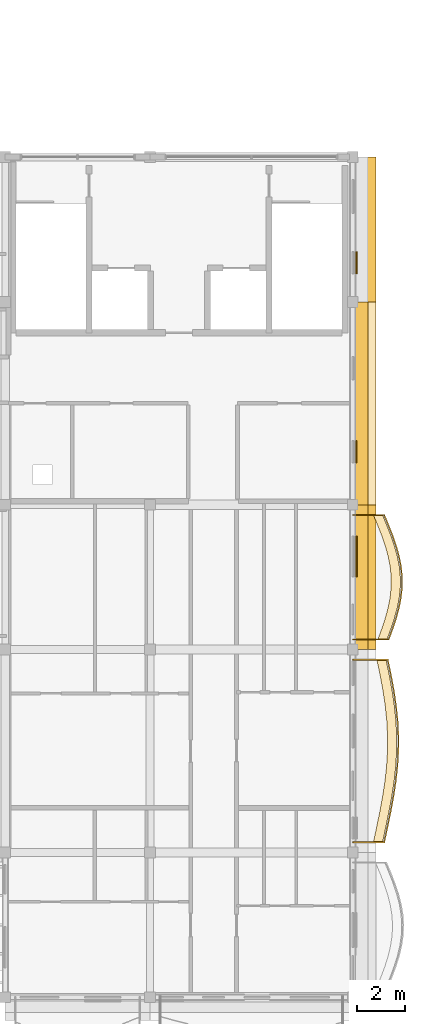
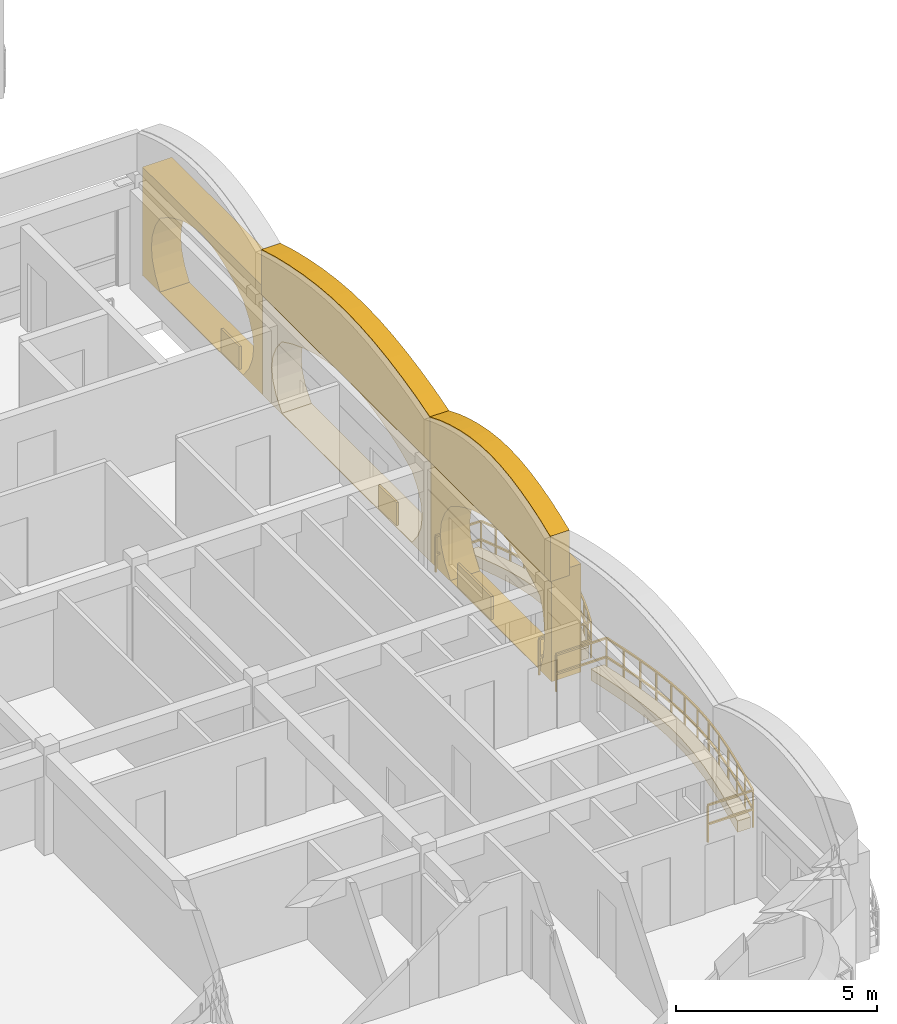
# One storey, part 54 of 59: 10 coverings, 2 railings.
"""IFC4 building model written with IfcOpenShell, lengths in metres."""

from ifc_helpers import new_model, si_unit, direction, frame, origin, origin_2d, place, context, subcontext, project, spatial, polyline, rectangle, outline, extrude, material, layer, layer_set, type_object, element, save


model = new_model("IFC4")

# Units and contexts
model_context = context("Model", 3, precision=1e-05, world=origin(), true_north=direction((0.0, 1.0)))
body_context = subcontext(model_context, "Body", "Model", "MODEL_VIEW")
ifc_project = project(units=[si_unit("LENGTHUNIT", "METRE"), si_unit("AREAUNIT", "SQUARE_METRE"), si_unit("VOLUMEUNIT", "CUBIC_METRE"), si_unit("PLANEANGLEUNIT", "RADIAN"), si_unit("MASSUNIT", "GRAM", prefix="KILO"), si_unit("THERMODYNAMICTEMPERATUREUNIT", "KELVIN")], contexts=[model_context])

# Site, building, storey
site_placement = place(None, origin())
site = spatial("IfcSite", under=ifc_project, at=site_placement, CompositionType="ELEMENT")
building_placement = place(site_placement, origin())
building = spatial("IfcBuilding", under=site, at=building_placement, Name="Thalorik Housing Commons", CompositionType="ELEMENT")
storey_placement = place(building_placement, frame((0.0, 0.0, 27.89990234375)))
storey = spatial("IfcBuildingStorey", under=building, at=storey_placement, Name="L08", CompositionType="ELEMENT", Elevation=27.89990234375)

# Coverings
ifc_material_1 = material(Name="Cobalt blue glazed ceramic facade tile panel", Category="masonry")
ifc_layer_1 = layer(ifc_material_1, 0.06005859375, Name="Cobalt blue glazed ceramic facade tile panel", Category="masonry")
ifc_layer_set_1 = layer_set([ifc_layer_1], Name="Cobalt blue glazed ceramic facade tile panel")
covering_type_1 = type_object("IfcCoveringType", Name="ARC-CLD-BLU-60", PredefinedType="CLADDING", material=ifc_layer_set_1)
covering_1_placement = place(storey_placement, frame((166.947509765625, 67.6298828125, 0.05029296875), z_axis=(0.0, 0.0, 1.0), x_axis=(0.0, 1.0, 0.0)))
element("IfcCovering", 1, at=covering_1_placement, inside=storey, type_object=covering_type_1, Name="L08 De Stijl Recessed Window Spandrel 5118", PredefinedType="CLADDING", context=body_context, shape_type="SweptSolid", body=[
    extrude(rectangle(XDim=0.89990234375, YDim=0.06005859375, at=origin_2d()), origin(), (0.0, 0.0, 1.0), 0.699951171875),
])
ifc_material_2 = material(Name="Precast concrete C40/50", Category="concrete")
ifc_layer_2 = layer(ifc_material_2, 0.85009765625, Name="Precast concrete C40/50", Category="concrete")
ifc_layer_set_2 = layer_set([ifc_layer_2], Name="Precast concrete C40/50")
covering_type_2 = type_object("IfcCoveringType", Name="ARC-CLD-CUSH-850", PredefinedType="CLADDING", material=ifc_layer_set_2)
covering_2_placement = place(storey_placement, frame((167.33740234375, 54.60009765625, 0.0), z_axis=(0.0, 0.0, 1.0), x_axis=(0.0, 1.0, 0.0)))
element("IfcCovering", 2, at=covering_2_placement, inside=storey, type_object=covering_type_2, Name="L08 White Precast Curved Cushion Bay Frame 5113", PredefinedType="CLADDING", context=body_context, shape_type="SweptSolid", body=[
    extrude(outline(polyline([(-3.0, 0.0), (3.0, 0.0), (3.0, 3.300048828125), (-3.0, 3.300048828125), (-3.0, 0.0)]), holes=[polyline([(2.0400390625, 0.02490234375), (2.3232421875, 0.40087890625), (2.493408203125, 0.776611328125), (2.550048828125, 1.152587890625), (2.493408203125, 1.5283203125), (2.3232421875, 1.904296875), (2.0400390625, 2.280029296875), (1.66748046875, 2.51123046875), (1.294921875, 2.693115234375), (0.922607421875, 2.840087890625), (0.550048828125, 2.94970703125), (0.177490234375, 3.01708984375), (-0.195068359375, 3.0400390625), (-0.5673828125, 3.01708984375), (-0.93994140625, 2.94970703125), (-1.3125, 2.840087890625), (-1.68505859375, 2.693115234375), (-2.0576171875, 2.51123046875), (-2.429931640625, 2.280029296875), (-2.55029296875, 1.904296875), (-2.62255859375, 1.5283203125), (-2.646484375, 1.152587890625), (-2.62255859375, 0.776611328125), (-2.55029296875, 0.40087890625), (-2.429931640625, 0.02490234375), (2.0400390625, 0.02490234375)])]), frame((0.0, 0.425048828125, 0.0), z_axis=(0.0, -1.0, 0.0), x_axis=(1.0, 0.0, 0.0)), (0.0, 0.0, 1.0), 0.85009765625),
])
covering_3_placement = place(storey_placement, frame((167.33740234375, 61.800048828125, 0.0), z_axis=(0.0, 0.0, 1.0), x_axis=(0.0, 1.0, 0.0)))
element("IfcCovering", 3, at=covering_3_placement, inside=storey, type_object=covering_type_2, Name="L08 White Precast Curved Cushion Bay Frame 5115", PredefinedType="CLADDING", context=body_context, shape_type="SweptSolid", body=[
    extrude(outline(polyline([(-4.199951171875, 0.0), (4.199951171875, 0.0), (4.199951171875, 3.300048828125), (-4.199951171875, 3.300048828125), (-4.199951171875, 0.0)]), holes=[polyline([(3.239990234375, 0.02490234375), (3.523193359375, 0.387451171875), (3.693359375, 0.75), (3.75, 1.112548828125), (3.693359375, 1.47509765625), (3.523193359375, 1.83740234375), (3.239990234375, 2.199951171875), (2.699951171875, 2.455810546875), (2.159912109375, 2.656494140625), (1.6201171875, 2.819091796875), (1.080078125, 2.940185546875), (0.5400390625, 3.014892578125), (0.0, 3.0400390625), (-0.5400390625, 3.014892578125), (-1.080078125, 2.940185546875), (-1.6201171875, 2.819091796875), (-2.159912109375, 2.656494140625), (-2.699951171875, 2.455810546875), (-3.239990234375, 2.199951171875), (-3.523193359375, 1.83740234375), (-3.693359375, 1.47509765625), (-3.75, 1.112548828125), (-3.693359375, 0.75), (-3.523193359375, 0.387451171875), (-3.239990234375, 0.02490234375), (3.239990234375, 0.02490234375)])]), frame((0.0, 0.425048828125, 0.0), z_axis=(0.0, -1.0, 0.0), x_axis=(1.0, 0.0, 0.0)), (0.0, 0.0, 1.0), 0.85009765625),
])
covering_4_placement = place(storey_placement, frame((167.33740234375, 69.0, 0.0), z_axis=(0.0, 0.0, 1.0), x_axis=(0.0, 1.0, 0.0)))
element("IfcCovering", 4, at=covering_4_placement, inside=storey, type_object=covering_type_2, Name="L08 White Precast Curved Cushion Bay Frame 5117", PredefinedType="CLADDING", context=body_context, shape_type="SweptSolid", body=[
    extrude(outline(polyline([(-3.0, 0.0), (3.0, 0.0), (3.0, 3.300048828125), (-3.0, 3.300048828125), (-3.0, 0.0)]), holes=[polyline([(2.1201171875, 0.02490234375), (2.35888671875, 0.399169921875), (2.502197265625, 0.773193359375), (2.550048828125, 1.1474609375), (2.502197265625, 1.521728515625), (2.35888671875, 1.895751953125), (2.1201171875, 2.27001953125), (1.773193359375, 2.50439453125), (1.4267578125, 2.6884765625), (1.080078125, 2.837646484375), (0.7333984375, 2.948486328125), (0.38671875, 3.016845703125), (0.0400390625, 3.0400390625), (-0.306640625, 3.016845703125), (-0.6533203125, 2.948486328125), (-1.0, 2.837646484375), (-1.3466796875, 2.6884765625), (-1.693359375, 2.50439453125), (-2.0400390625, 2.27001953125), (-2.3232421875, 1.895751953125), (-2.493408203125, 1.521728515625), (-2.550048828125, 1.1474609375), (-2.493408203125, 0.773193359375), (-2.3232421875, 0.399169921875), (-2.0400390625, 0.02490234375), (2.1201171875, 0.02490234375)])]), frame((0.0, 0.425048828125, 0.0), z_axis=(0.0, -1.0, 0.0), x_axis=(1.0, 0.0, 0.0)), (0.0, 0.0, 1.0), 0.85009765625),
])
ifc_layer_3 = layer(ifc_material_2, 0.550048828125, Name="Precast concrete C40/50", Category="concrete")
ifc_layer_set_3 = layer_set([ifc_layer_3], Name="Precast concrete C40/50")
covering_type_3 = type_object("IfcCoveringType", Name="ARC-CLD-PAR-550", PredefinedType="CLADDING", material=ifc_layer_set_3)
covering_5_placement = place(storey_placement, frame((167.14990234375, 54.60009765625, 3.06005859375), z_axis=(0.0, 0.0, 1.0), x_axis=(0.0, 1.0, 0.0)))
element("IfcCovering", 5, at=covering_5_placement, inside=storey, type_object=covering_type_3, Name="L08 Block D Scalloped White Precast Parapet Crest 5125", PredefinedType="CLADDING", context=body_context, shape_type="SweptSolid", body=[
    extrude(outline(polyline([(-3.0, 0.0), (3.0, 0.0), (3.0, 1.3798828125), (2.5, 1.58154296875), (2.0, 1.744384765625), (1.5, 1.877685546875), (1.0, 1.977294921875), (0.5, 2.0390625), (0.0, 2.06005859375), (-0.5, 2.0390625), (-1.0, 1.977294921875), (-1.5, 1.877685546875), (-2.0, 1.744384765625), (-2.5, 1.58154296875), (-3.0, 1.3798828125), (-3.0, 0.0)])), frame((0.0, 0.27490234375, 0.0), z_axis=(0.0, -1.0, 0.0), x_axis=(1.0, 0.0, 0.0)), (0.0, 0.0, 1.0), 0.550048828125),
])
covering_6_placement = place(storey_placement, frame((167.14990234375, 61.800048828125, 3.06005859375), z_axis=(0.0, 0.0, 1.0), x_axis=(0.0, 1.0, 0.0)))
element("IfcCovering", 6, at=covering_6_placement, inside=storey, type_object=covering_type_3, Name="L08 Block D Scalloped White Precast Parapet Crest 5126", PredefinedType="CLADDING", context=body_context, shape_type="SweptSolid", body=[
    extrude(outline(polyline([(-4.199951171875, 0.0), (4.199951171875, 0.0), (4.199951171875, 1.3798828125), (3.5, 1.58154296875), (2.800048828125, 1.744384765625), (2.10009765625, 1.877685546875), (1.39990234375, 1.977294921875), (0.699951171875, 2.0390625), (0.0, 2.06005859375), (-0.699951171875, 2.0390625), (-1.39990234375, 1.977294921875), (-2.10009765625, 1.877685546875), (-2.800048828125, 1.744384765625), (-3.5, 1.58154296875), (-4.199951171875, 1.3798828125), (-4.199951171875, 0.0)])), frame((0.0, 0.27490234375, 0.0), z_axis=(0.0, -1.0, 0.0), x_axis=(1.0, 0.0, 0.0)), (0.0, 0.0, 1.0), 0.550048828125),
])
ifc_material_3 = material(Name="Terracotta red mineral fibre-cement panel", Category="masonry")
ifc_layer_4 = layer(ifc_material_3, 0.054931640625, Name="Terracotta red mineral fibre-cement panel", Category="masonry")
ifc_layer_set_4 = layer_set([ifc_layer_4], Name="Terracotta red mineral fibre-cement panel")
covering_type_4 = type_object("IfcCoveringType", Name="ARC-CLD-RED-55", PredefinedType="CLADDING", material=ifc_layer_set_4)
covering_7_placement = place(storey_placement, frame((166.945068359375, 59.794921875, 0.05029296875), z_axis=(0.0, 0.0, 1.0), x_axis=(0.0, 1.0, 0.0)))
element("IfcCovering", 7, at=covering_7_placement, inside=storey, type_object=covering_type_4, Name="L08 De Stijl Recessed Window Spandrel 5116", PredefinedType="CLADDING", context=body_context, shape_type="SweptSolid", body=[
    extrude(rectangle(XDim=0.89990234375, YDim=0.054931640625, at=origin_2d()), origin(), (0.0, 0.0, 1.0), 0.699951171875),
])
ifc_material_4 = material(Name="Mineral ochre architectural terracotta panel", Category="masonry")
ifc_layer_5 = layer(ifc_material_4, 0.06494140625, Name="Mineral ochre architectural terracotta panel", Category="masonry")
ifc_layer_set_5 = layer_set([ifc_layer_5], Name="Mineral ochre architectural terracotta panel")
covering_type_5 = type_object("IfcCoveringType", Name="ARC-CLD-YEL-65", PredefinedType="CLADDING", material=ifc_layer_set_5)
covering_8_placement = place(storey_placement, frame((166.949951171875, 55.465087890625, 0.05029296875), z_axis=(0.0, 0.0, 1.0), x_axis=(0.0, 1.0, 0.0)))
element("IfcCovering", 8, at=covering_8_placement, inside=storey, type_object=covering_type_5, Name="L08 De Stijl Recessed Window Spandrel 5114", PredefinedType="CLADDING", context=body_context, shape_type="SweptSolid", body=[
    extrude(rectangle(XDim=1.679931640625, YDim=0.06494140625, at=origin_2d()), origin(), (0.0, 0.0, 1.0), 0.699951171875),
])
ifc_material_5 = material(Name="Planted vegetated substrate and terracotta trough", Category="masonry")
ifc_layer_6 = layer(ifc_material_5, 0.340087890625, Name="Planted vegetated substrate and terracotta trough", Category="masonry")
ifc_layer_set_6 = layer_set([ifc_layer_6], Name="Planted vegetated substrate and terracotta trough")
covering_type_6 = type_object("IfcCoveringType", Name="ARC-COV-PLANTER", PredefinedType="USERDEFINED", material=ifc_layer_set_6)
covering_9_placement = place(storey_placement, origin())
element("IfcCovering", 9, at=covering_9_placement, inside=storey, type_object=covering_type_6, Name="L08 Balcony Slab-Edge Planted Trough 5697", ObjectType="PLANTER", PredefinedType="USERDEFINED", context=body_context, shape_type="SweptSolid", body=[
    extrude(outline(polyline([(168.0341796875, 43.6201171875), (168.16796875, 44.25), (168.297607421875, 44.8798828125), (168.41455078125, 45.510009765625), (168.5107421875, 46.139892578125), (168.57958984375, 46.77001953125), (168.61669921875, 47.39990234375), (168.618896484375, 48.030029296875), (168.58642578125, 48.659912109375), (168.52099609375, 49.2900390625), (168.4267578125, 49.919921875), (168.31005859375, 50.550048828125), (168.1787109375, 51.179931640625), (167.798583984375, 51.179931640625), (167.929931640625, 50.550048828125), (168.046630859375, 49.919921875), (168.140869140625, 49.2900390625), (168.206298828125, 48.659912109375), (168.239013671875, 48.030029296875), (168.236572265625, 47.39990234375), (168.19970703125, 46.77001953125), (168.130615234375, 46.139892578125), (168.034423828125, 45.510009765625), (167.91748046875, 44.8798828125), (167.787841796875, 44.25), (167.654296875, 43.6201171875), (168.0341796875, 43.6201171875)])), origin(), (0.0, 0.0, 1.0), 0.340087890625),
])
covering_10_placement = place(storey_placement, origin())
element("IfcCovering", 10, at=covering_10_placement, inside=storey, type_object=covering_type_6, Name="L08 Balcony Slab-Edge Planted Trough 5698", ObjectType="PLANTER", PredefinedType="USERDEFINED", context=body_context, shape_type="SweptSolid", body=[
    extrude(outline(polyline([(168.217529296875, 52.02001953125), (168.375732421875, 52.449951171875), (168.518798828125, 52.8798828125), (168.63720703125, 53.31005859375), (168.72216796875, 53.739990234375), (168.767822265625, 54.169921875), (168.7705078125, 54.60009765625), (168.7294921875, 55.030029296875), (168.646484375, 55.4599609375), (168.527099609375, 55.889892578125), (168.378173828125, 56.320068359375), (168.20947265625, 56.75), (168.031494140625, 57.179931640625), (167.651611328125, 57.179931640625), (167.82958984375, 56.75), (167.998291015625, 56.320068359375), (168.147216796875, 55.889892578125), (168.2666015625, 55.4599609375), (168.349365234375, 55.030029296875), (168.390380859375, 54.60009765625), (168.3876953125, 54.169921875), (168.342041015625, 53.739990234375), (168.257080078125, 53.31005859375), (168.138916015625, 52.8798828125), (167.99560546875, 52.449951171875), (167.837646484375, 52.02001953125), (168.217529296875, 52.02001953125)])), origin(), (0.0, 0.0, 1.0), 0.340087890625),
])

# Railings
ifc_material_6 = material(Name="Steel S355", Category="steel")
railing_type_1 = type_object("IfcRailingType", Name="ARC-RL-BAL-112", PredefinedType="BALUSTRADE", material=ifc_material_6)
railing_1_placement = place(storey_placement, frame((166.800048828125, 52.02001953125, 0.0)))
element("IfcRailing", 11, at=railing_1_placement, inside=storey, type_object=railing_type_1, Name="L08 Cushion Balcony Guardrail 382", PredefinedType="BALUSTRADE", context=body_context, shape_type="SweptSolid", body=[
    extrude(rectangle(XDim=0.050048828125, YDim=0.050048828125, at=origin_2d()), frame((0.0, 0.0, 1.09521484375), z_axis=(1.0, 0.0, 0.0), x_axis=(0.0, 1.0, 0.0)), (0.0, 0.0, 1.0), 1.487548828125),
    extrude(rectangle(XDim=0.050048828125, YDim=0.050048828125, at=origin_2d()), frame((0.0, 0.0, 0.53515625), z_axis=(1.0, 0.0, 0.0), x_axis=(0.0, 1.0, 0.0)), (0.0, 0.0, 1.0), 1.487548828125),
    extrude(rectangle(XDim=0.050048828125, YDim=0.050048828125, at=origin_2d()), frame((1.487548828125, 0.0, 1.09521484375), z_axis=(0.345334884574, 0.938479524282, 0.0), x_axis=(-0.938479524282, 0.345334884574, 0.0)), (0.0, 0.0, 1.0), 0.4580078125),
    extrude(rectangle(XDim=0.050048828125, YDim=0.050048828125, at=origin_2d()), frame((1.487548828125, 0.0, 0.53515625), z_axis=(0.345334884574, 0.938479524282, 0.0), x_axis=(-0.938479524282, 0.345334884574, 0.0)), (0.0, 0.0, 1.0), 0.4580078125),
    extrude(rectangle(XDim=0.050048828125, YDim=0.050048828125, at=origin_2d()), frame((1.645751953125, 0.429931640625, 1.09521484375), z_axis=(0.315742795496, 0.948844817182, 0.0), x_axis=(-0.948844817182, 0.315742795496, 0.0)), (0.0, 0.0, 1.0), 0.453125),
    extrude(rectangle(XDim=0.050048828125, YDim=0.050048828125, at=origin_2d()), frame((1.645751953125, 0.429931640625, 0.53515625), z_axis=(0.315742795496, 0.948844817182, 0.0), x_axis=(-0.948844817182, 0.315742795496, 0.0)), (0.0, 0.0, 1.0), 0.453125),
    extrude(rectangle(XDim=0.050048828125, YDim=0.050048828125, at=origin_2d()), frame((1.788818359375, 0.85986328125, 1.09521484375), z_axis=(0.264876638102, 0.964282306479, 0.0), x_axis=(-0.964282306479, 0.264876638102, 0.0)), (0.0, 0.0, 1.0), 0.446044921875),
    extrude(rectangle(XDim=0.050048828125, YDim=0.050048828125, at=origin_2d()), frame((1.788818359375, 0.85986328125, 0.53515625), z_axis=(0.264876638102, 0.964282306479, 0.0), x_axis=(-0.964282306479, 0.264876638102, 0.0)), (0.0, 0.0, 1.0), 0.446044921875),
    extrude(rectangle(XDim=0.050048828125, YDim=0.050048828125, at=origin_2d()), frame((1.906982421875, 1.2900390625, 1.09521484375), z_axis=(0.193865849494, 0.981028048733, 0.0), x_axis=(-0.981028048733, 0.193865849494, 0.0)), (0.0, 0.0, 1.0), 0.438232421875),
    extrude(rectangle(XDim=0.050048828125, YDim=0.050048828125, at=origin_2d()), frame((1.906982421875, 1.2900390625, 0.53515625), z_axis=(0.193865849494, 0.981028048733, 0.0), x_axis=(-0.981028048733, 0.193865849494, 0.0)), (0.0, 0.0, 1.0), 0.438232421875),
    extrude(rectangle(XDim=0.050048828125, YDim=0.050048828125, at=origin_2d()), frame((1.991943359375, 1.719970703125, 1.09521484375), z_axis=(0.106154308706, 0.994349668247, 0.0), x_axis=(-0.994349668247, 0.106154308706, 0.0)), (0.0, 0.0, 1.0), 0.432373046875),
    extrude(rectangle(XDim=0.050048828125, YDim=0.050048828125, at=origin_2d()), frame((1.991943359375, 1.719970703125, 0.53515625), z_axis=(0.106154308706, 0.994349668247, 0.0), x_axis=(-0.994349668247, 0.106154308706, 0.0)), (0.0, 0.0, 1.0), 0.432373046875),
    extrude(rectangle(XDim=0.050048828125, YDim=0.050048828125, at=origin_2d()), frame((2.037841796875, 2.14990234375, 1.09521484375), z_axis=(0.006242784137, 0.999980513633, 0.0), x_axis=(-0.999980513633, 0.006242784137, 0.0)), (0.0, 0.0, 1.0), 0.43017578125),
    extrude(rectangle(XDim=0.050048828125, YDim=0.050048828125, at=origin_2d()), frame((2.037841796875, 2.14990234375, 0.53515625), z_axis=(0.006242784137, 0.999980513633, 0.0), x_axis=(-0.999980513633, 0.006242784137, 0.0)), (0.0, 0.0, 1.0), 0.43017578125),
    extrude(rectangle(XDim=0.050048828125, YDim=0.050048828125, at=origin_2d()), frame((2.04052734375, 2.580078125, 1.09521484375), z_axis=(-0.095529300691, 0.995426618445, 0.0), x_axis=(-0.995426618445, -0.095529300691, 0.0)), (0.0, 0.0, 1.0), 0.431884765625),
    extrude(rectangle(XDim=0.050048828125, YDim=0.050048828125, at=origin_2d()), frame((2.04052734375, 2.580078125, 0.53515625), z_axis=(-0.095529300691, 0.995426618445, 0.0), x_axis=(-0.995426618445, -0.095529300691, 0.0)), (0.0, 0.0, 1.0), 0.431884765625),
    extrude(rectangle(XDim=0.050048828125, YDim=0.050048828125, at=origin_2d()), frame((1.999267578125, 3.010009765625, 1.09521484375), z_axis=(-0.189033529089, 0.98197063341, 0.0), x_axis=(-0.98197063341, -0.189033529089, 0.0)), (0.0, 0.0, 1.0), 0.437744140625),
    extrude(rectangle(XDim=0.050048828125, YDim=0.050048828125, at=origin_2d()), frame((1.999267578125, 3.010009765625, 0.53515625), z_axis=(-0.189033529089, 0.98197063341, 0.0), x_axis=(-0.98197063341, -0.189033529089, 0.0)), (0.0, 0.0, 1.0), 0.437744140625),
    extrude(rectangle(XDim=0.050048828125, YDim=0.050048828125, at=origin_2d()), frame((1.91650390625, 3.43994140625, 1.09521484375), z_axis=(-0.267559202538, 0.963541422637, 0.0), x_axis=(-0.963541422637, -0.267559202538, 0.0)), (0.0, 0.0, 1.0), 0.4462890625),
    extrude(rectangle(XDim=0.050048828125, YDim=0.050048828125, at=origin_2d()), frame((1.91650390625, 3.43994140625, 0.53515625), z_axis=(-0.267559202538, 0.963541422637, 0.0), x_axis=(-0.963541422637, -0.267559202538, 0.0)), (0.0, 0.0, 1.0), 0.4462890625),
    extrude(rectangle(XDim=0.050048828125, YDim=0.050048828125, at=origin_2d()), frame((1.797119140625, 3.869873046875, 1.09521484375), z_axis=(-0.327147403761, 0.944973320371, 0.0), x_axis=(-0.944973320371, -0.327147403761, 0.0)), (0.0, 0.0, 1.0), 0.455322265625),
    extrude(rectangle(XDim=0.050048828125, YDim=0.050048828125, at=origin_2d()), frame((1.797119140625, 3.869873046875, 0.53515625), z_axis=(-0.327147403761, 0.944973320371, 0.0), x_axis=(-0.944973320371, -0.327147403761, 0.0)), (0.0, 0.0, 1.0), 0.455322265625),
    extrude(rectangle(XDim=0.050048828125, YDim=0.050048828125, at=origin_2d()), frame((1.648193359375, 4.300048828125, 1.09521484375), z_axis=(-0.365276175651, 0.930899197283, 0.0), x_axis=(-0.930899197283, -0.365276175651, 0.0)), (0.0, 0.0, 1.0), 0.4619140625),
    extrude(rectangle(XDim=0.050048828125, YDim=0.050048828125, at=origin_2d()), frame((1.648193359375, 4.300048828125, 0.53515625), z_axis=(-0.365276175651, 0.930899197283, 0.0), x_axis=(-0.930899197283, -0.365276175651, 0.0)), (0.0, 0.0, 1.0), 0.4619140625),
    extrude(rectangle(XDim=0.050048828125, YDim=0.050048828125, at=origin_2d()), frame((1.4794921875, 4.72998046875, 1.09521484375), z_axis=(-0.382490814953, 0.923959293734, 0.0), x_axis=(-0.923959293734, -0.382490814953, 0.0)), (0.0, 0.0, 1.0), 0.46533203125),
    extrude(rectangle(XDim=0.050048828125, YDim=0.050048828125, at=origin_2d()), frame((1.4794921875, 4.72998046875, 0.53515625), z_axis=(-0.382490814953, 0.923959293734, 0.0), x_axis=(-0.923959293734, -0.382490814953, 0.0)), (0.0, 0.0, 1.0), 0.46533203125),
    extrude(rectangle(XDim=0.050048828125, YDim=0.050048828125, at=origin_2d()), frame((1.301513671875, 5.159912109375, 1.09521484375), z_axis=(-1.0, 0.0, 0.0), x_axis=(0.0, -1.0, 0.0)), (0.0, 0.0, 1.0), 1.301513671875),
    extrude(rectangle(XDim=0.050048828125, YDim=0.050048828125, at=origin_2d()), frame((1.301513671875, 5.159912109375, 0.53515625), z_axis=(-1.0, 0.0, 0.0), x_axis=(0.0, -1.0, 0.0)), (0.0, 0.0, 1.0), 1.301513671875),
    extrude(rectangle(XDim=0.0419921875, YDim=0.0419921875, at=origin_2d()), origin(), (0.0, 0.0, 1.0), 1.070068359375),
    extrude(rectangle(XDim=0.0419921875, YDim=0.0419921875, at=origin_2d()), frame((1.487548828125, 0.0, 0.0)), (0.0, 0.0, 1.0), 1.070068359375),
    extrude(rectangle(XDim=0.0419921875, YDim=0.0419921875, at=origin_2d()), frame((1.645751953125, 0.429931640625, 0.0)), (0.0, 0.0, 1.0), 1.070068359375),
    extrude(rectangle(XDim=0.0419921875, YDim=0.0419921875, at=origin_2d()), frame((1.788818359375, 0.85986328125, 0.0)), (0.0, 0.0, 1.0), 1.070068359375),
    extrude(rectangle(XDim=0.0419921875, YDim=0.0419921875, at=origin_2d()), frame((1.906982421875, 1.2900390625, 0.0)), (0.0, 0.0, 1.0), 1.070068359375),
    extrude(rectangle(XDim=0.0419921875, YDim=0.0419921875, at=origin_2d()), frame((1.991943359375, 1.719970703125, 0.0)), (0.0, 0.0, 1.0), 1.070068359375),
    extrude(rectangle(XDim=0.0419921875, YDim=0.0419921875, at=origin_2d()), frame((2.037841796875, 2.14990234375, 0.0)), (0.0, 0.0, 1.0), 1.070068359375),
    extrude(rectangle(XDim=0.0419921875, YDim=0.0419921875, at=origin_2d()), frame((2.04052734375, 2.580078125, 0.0)), (0.0, 0.0, 1.0), 1.070068359375),
    extrude(rectangle(XDim=0.0419921875, YDim=0.0419921875, at=origin_2d()), frame((1.999267578125, 3.010009765625, 0.0)), (0.0, 0.0, 1.0), 1.070068359375),
    extrude(rectangle(XDim=0.0419921875, YDim=0.0419921875, at=origin_2d()), frame((1.91650390625, 3.43994140625, 0.0)), (0.0, 0.0, 1.0), 1.070068359375),
    extrude(rectangle(XDim=0.0419921875, YDim=0.0419921875, at=origin_2d()), frame((1.797119140625, 3.869873046875, 0.0)), (0.0, 0.0, 1.0), 1.070068359375),
    extrude(rectangle(XDim=0.0419921875, YDim=0.0419921875, at=origin_2d()), frame((1.648193359375, 4.300048828125, 0.0)), (0.0, 0.0, 1.0), 1.070068359375),
    extrude(rectangle(XDim=0.0419921875, YDim=0.0419921875, at=origin_2d()), frame((1.4794921875, 4.72998046875, 0.0)), (0.0, 0.0, 1.0), 1.070068359375),
    extrude(rectangle(XDim=0.0419921875, YDim=0.0419921875, at=origin_2d()), frame((1.301513671875, 5.159912109375, 0.0)), (0.0, 0.0, 1.0), 1.070068359375),
    extrude(rectangle(XDim=0.0419921875, YDim=0.0419921875, at=origin_2d()), frame((0.0, 5.159912109375, 0.0)), (0.0, 0.0, 1.0), 1.070068359375),
])
railing_type_2 = type_object("IfcRailingType", Name="ARC-RL-BAL-115", PredefinedType="BALUSTRADE", material=ifc_material_6)
railing_2_placement = place(storey_placement, frame((166.800048828125, 43.6201171875, 0.0)))
element("IfcRailing", 12, at=railing_2_placement, inside=storey, type_object=railing_type_2, Name="L08 Cushion Balcony Guardrail 381", PredefinedType="BALUSTRADE", context=body_context, shape_type="SweptSolid", body=[
    extrude(rectangle(XDim=0.050048828125, YDim=0.050048828125, at=origin_2d()), frame((0.0, 0.0, 1.125), z_axis=(1.0, 0.0, 0.0), x_axis=(0.0, 1.0, 0.0)), (0.0, 0.0, 1.0), 1.30419921875),
    extrude(rectangle(XDim=0.050048828125, YDim=0.050048828125, at=origin_2d()), frame((0.0, 0.0, 0.5498046875), z_axis=(1.0, 0.0, 0.0), x_axis=(0.0, 1.0, 0.0)), (0.0, 0.0, 1.0), 1.30419921875),
    extrude(rectangle(XDim=0.050048828125, YDim=0.050048828125, at=origin_2d()), frame((1.30419921875, 0.0, 1.125), z_axis=(0.207405250274, 0.97825511098, 0.0), x_axis=(-0.97825511098, 0.207405250274, 0.0)), (0.0, 0.0, 1.0), 0.643798828125),
    extrude(rectangle(XDim=0.050048828125, YDim=0.050048828125, at=origin_2d()), frame((1.30419921875, 0.0, 0.5498046875), z_axis=(0.207405250274, 0.97825511098, 0.0), x_axis=(-0.97825511098, 0.207405250274, 0.0)), (0.0, 0.0, 1.0), 0.643798828125),
    extrude(rectangle(XDim=0.050048828125, YDim=0.050048828125, at=origin_2d()), frame((1.437744140625, 0.6298828125, 1.125), z_axis=(0.201952819313, 0.979395251557, 0.0), x_axis=(-0.979395251557, 0.201952819313, 0.0)), (0.0, 0.0, 1.0), 0.64306640625),
    extrude(rectangle(XDim=0.050048828125, YDim=0.050048828125, at=origin_2d()), frame((1.437744140625, 0.6298828125, 0.5498046875), z_axis=(0.201952819313, 0.979395251557, 0.0), x_axis=(-0.979395251557, 0.201952819313, 0.0)), (0.0, 0.0, 1.0), 0.64306640625),
    extrude(rectangle(XDim=0.050048828125, YDim=0.050048828125, at=origin_2d()), frame((1.567626953125, 1.259765625, 1.125), z_axis=(0.182471198861, 0.983211198872, 0.0), x_axis=(-0.983211198872, 0.182471198861, 0.0)), (0.0, 0.0, 1.0), 0.640869140625),
    extrude(rectangle(XDim=0.050048828125, YDim=0.050048828125, at=origin_2d()), frame((1.567626953125, 1.259765625, 0.5498046875), z_axis=(0.182471198861, 0.983211198872, 0.0), x_axis=(-0.983211198872, 0.182471198861, 0.0)), (0.0, 0.0, 1.0), 0.640869140625),
    extrude(rectangle(XDim=0.050048828125, YDim=0.050048828125, at=origin_2d()), frame((1.6845703125, 1.889892578125, 1.125), z_axis=(0.150962995847, 0.988539414432, 0.0), x_axis=(-0.988539414432, 0.150962995847, 0.0)), (0.0, 0.0, 1.0), 0.63720703125),
    extrude(rectangle(XDim=0.050048828125, YDim=0.050048828125, at=origin_2d()), frame((1.6845703125, 1.889892578125, 0.5498046875), z_axis=(0.150962995847, 0.988539414432, 0.0), x_axis=(-0.988539414432, 0.150962995847, 0.0)), (0.0, 0.0, 1.0), 0.63720703125),
    extrude(rectangle(XDim=0.050048828125, YDim=0.050048828125, at=origin_2d()), frame((1.78076171875, 2.519775390625, 1.125), z_axis=(0.108613599509, 0.994084043732, 0.0), x_axis=(-0.994084043732, 0.108613599509, 0.0)), (0.0, 0.0, 1.0), 0.6337890625),
    extrude(rectangle(XDim=0.050048828125, YDim=0.050048828125, at=origin_2d()), frame((1.78076171875, 2.519775390625, 0.5498046875), z_axis=(0.108613599509, 0.994084043732, 0.0), x_axis=(-0.994084043732, 0.108613599509, 0.0)), (0.0, 0.0, 1.0), 0.6337890625),
    extrude(rectangle(XDim=0.050048828125, YDim=0.050048828125, at=origin_2d()), frame((1.849609375, 3.14990234375, 1.125), z_axis=(0.058427148419, 0.998291674977, 0.0), x_axis=(-0.998291674977, 0.058427148419, 0.0)), (0.0, 0.0, 1.0), 0.630859375),
    extrude(rectangle(XDim=0.050048828125, YDim=0.050048828125, at=origin_2d()), frame((1.849609375, 3.14990234375, 0.5498046875), z_axis=(0.058427148419, 0.998291674977, 0.0), x_axis=(-0.998291674977, 0.058427148419, 0.0)), (0.0, 0.0, 1.0), 0.630859375),
    extrude(rectangle(XDim=0.050048828125, YDim=0.050048828125, at=origin_2d()), frame((1.886474609375, 3.77978515625, 1.125), z_axis=(0.00387443818, 0.999992494336, 0.0), x_axis=(-0.999992494336, 0.00387443818, 0.0)), (0.0, 0.0, 1.0), 0.630126953125),
    extrude(rectangle(XDim=0.050048828125, YDim=0.050048828125, at=origin_2d()), frame((1.886474609375, 3.77978515625, 0.5498046875), z_axis=(0.00387443818, 0.999992494336, 0.0), x_axis=(-0.999992494336, 0.00387443818, 0.0)), (0.0, 0.0, 1.0), 0.630126953125),
    extrude(rectangle(XDim=0.050048828125, YDim=0.050048828125, at=origin_2d()), frame((1.888916015625, 4.409912109375, 1.125), z_axis=(-0.051482027719, 0.998673921168, 0.0), x_axis=(-0.998673921168, -0.051482027719, 0.0)), (0.0, 0.0, 1.0), 0.630615234375),
    extrude(rectangle(XDim=0.050048828125, YDim=0.050048828125, at=origin_2d()), frame((1.888916015625, 4.409912109375, 0.5498046875), z_axis=(-0.051482027719, 0.998673921168, 0.0), x_axis=(-0.998673921168, -0.051482027719, 0.0)), (0.0, 0.0, 1.0), 0.630615234375),
    extrude(rectangle(XDim=0.050048828125, YDim=0.050048828125, at=origin_2d()), frame((1.8564453125, 5.039794921875, 1.125), z_axis=(-0.103661679099, 0.994612616191, 0.0), x_axis=(-0.994612616191, -0.103661679099, 0.0)), (0.0, 0.0, 1.0), 0.633544921875),
    extrude(rectangle(XDim=0.050048828125, YDim=0.050048828125, at=origin_2d()), frame((1.8564453125, 5.039794921875, 0.5498046875), z_axis=(-0.103661679099, 0.994612616191, 0.0), x_axis=(-0.994612616191, -0.103661679099, 0.0)), (0.0, 0.0, 1.0), 0.633544921875),
    extrude(rectangle(XDim=0.050048828125, YDim=0.050048828125, at=origin_2d()), frame((1.790771484375, 5.669921875, 1.125), z_axis=(-0.147965546983, 0.988992516102, 0.0), x_axis=(-0.988992516102, -0.147965546983, 0.0)), (0.0, 0.0, 1.0), 0.636962890625),
    extrude(rectangle(XDim=0.050048828125, YDim=0.050048828125, at=origin_2d()), frame((1.790771484375, 5.669921875, 0.5498046875), z_axis=(-0.147965546983, 0.988992516102, 0.0), x_axis=(-0.988992516102, -0.147965546983, 0.0)), (0.0, 0.0, 1.0), 0.636962890625),
    extrude(rectangle(XDim=0.050048828125, YDim=0.050048828125, at=origin_2d()), frame((1.696533203125, 6.2998046875, 1.125), z_axis=(-0.18210290227, 0.983279478574, 0.0), x_axis=(-0.983279478574, -0.18210290227, 0.0)), (0.0, 0.0, 1.0), 0.640869140625),
    extrude(rectangle(XDim=0.050048828125, YDim=0.050048828125, at=origin_2d()), frame((1.696533203125, 6.2998046875, 0.5498046875), z_axis=(-0.18210290227, 0.983279478574, 0.0), x_axis=(-0.983279478574, -0.18210290227, 0.0)), (0.0, 0.0, 1.0), 0.640869140625),
    extrude(rectangle(XDim=0.050048828125, YDim=0.050048828125, at=origin_2d()), frame((1.579833984375, 6.929931640625, 1.125), z_axis=(-0.204136076393, 0.978942522478, 0.0), x_axis=(-0.978942522478, -0.204136076393, 0.0)), (0.0, 0.0, 1.0), 0.643310546875),
    extrude(rectangle(XDim=0.050048828125, YDim=0.050048828125, at=origin_2d()), frame((1.579833984375, 6.929931640625, 0.5498046875), z_axis=(-0.204136076393, 0.978942522478, 0.0), x_axis=(-0.978942522478, -0.204136076393, 0.0)), (0.0, 0.0, 1.0), 0.643310546875),
    extrude(rectangle(XDim=0.050048828125, YDim=0.050048828125, at=origin_2d()), frame((1.448486328125, 7.559814453125, 1.125), z_axis=(-1.0, 0.0, 0.0), x_axis=(0.0, -1.0, 0.0)), (0.0, 0.0, 1.0), 1.448486328125),
    extrude(rectangle(XDim=0.050048828125, YDim=0.050048828125, at=origin_2d()), frame((1.448486328125, 7.559814453125, 0.5498046875), z_axis=(-1.0, 0.0, 0.0), x_axis=(0.0, -1.0, 0.0)), (0.0, 0.0, 1.0), 1.448486328125),
    extrude(rectangle(XDim=0.0419921875, YDim=0.0419921875, at=origin_2d()), origin(), (0.0, 0.0, 1.0), 1.099853515625),
    extrude(rectangle(XDim=0.0419921875, YDim=0.0419921875, at=origin_2d()), frame((1.30419921875, 0.0, 0.0)), (0.0, 0.0, 1.0), 1.099853515625),
    extrude(rectangle(XDim=0.0419921875, YDim=0.0419921875, at=origin_2d()), frame((1.437744140625, 0.6298828125, 0.0)), (0.0, 0.0, 1.0), 1.099853515625),
    extrude(rectangle(XDim=0.0419921875, YDim=0.0419921875, at=origin_2d()), frame((1.567626953125, 1.259765625, 0.0)), (0.0, 0.0, 1.0), 1.099853515625),
    extrude(rectangle(XDim=0.0419921875, YDim=0.0419921875, at=origin_2d()), frame((1.6845703125, 1.889892578125, 0.0)), (0.0, 0.0, 1.0), 1.099853515625),
    extrude(rectangle(XDim=0.0419921875, YDim=0.0419921875, at=origin_2d()), frame((1.78076171875, 2.519775390625, 0.0)), (0.0, 0.0, 1.0), 1.099853515625),
    extrude(rectangle(XDim=0.0419921875, YDim=0.0419921875, at=origin_2d()), frame((1.849609375, 3.14990234375, 0.0)), (0.0, 0.0, 1.0), 1.099853515625),
    extrude(rectangle(XDim=0.0419921875, YDim=0.0419921875, at=origin_2d()), frame((1.886474609375, 3.77978515625, 0.0)), (0.0, 0.0, 1.0), 1.099853515625),
    extrude(rectangle(XDim=0.0419921875, YDim=0.0419921875, at=origin_2d()), frame((1.888916015625, 4.409912109375, 0.0)), (0.0, 0.0, 1.0), 1.099853515625),
    extrude(rectangle(XDim=0.0419921875, YDim=0.0419921875, at=origin_2d()), frame((1.8564453125, 5.039794921875, 0.0)), (0.0, 0.0, 1.0), 1.099853515625),
    extrude(rectangle(XDim=0.0419921875, YDim=0.0419921875, at=origin_2d()), frame((1.790771484375, 5.669921875, 0.0)), (0.0, 0.0, 1.0), 1.099853515625),
    extrude(rectangle(XDim=0.0419921875, YDim=0.0419921875, at=origin_2d()), frame((1.696533203125, 6.2998046875, 0.0)), (0.0, 0.0, 1.0), 1.099853515625),
    extrude(rectangle(XDim=0.0419921875, YDim=0.0419921875, at=origin_2d()), frame((1.579833984375, 6.929931640625, 0.0)), (0.0, 0.0, 1.0), 1.099853515625),
    extrude(rectangle(XDim=0.0419921875, YDim=0.0419921875, at=origin_2d()), frame((1.448486328125, 7.559814453125, 0.0)), (0.0, 0.0, 1.0), 1.099853515625),
    extrude(rectangle(XDim=0.0419921875, YDim=0.0419921875, at=origin_2d()), frame((0.0, 7.559814453125, 0.0)), (0.0, 0.0, 1.0), 1.099853515625),
])

save(model, "model.ifc")
